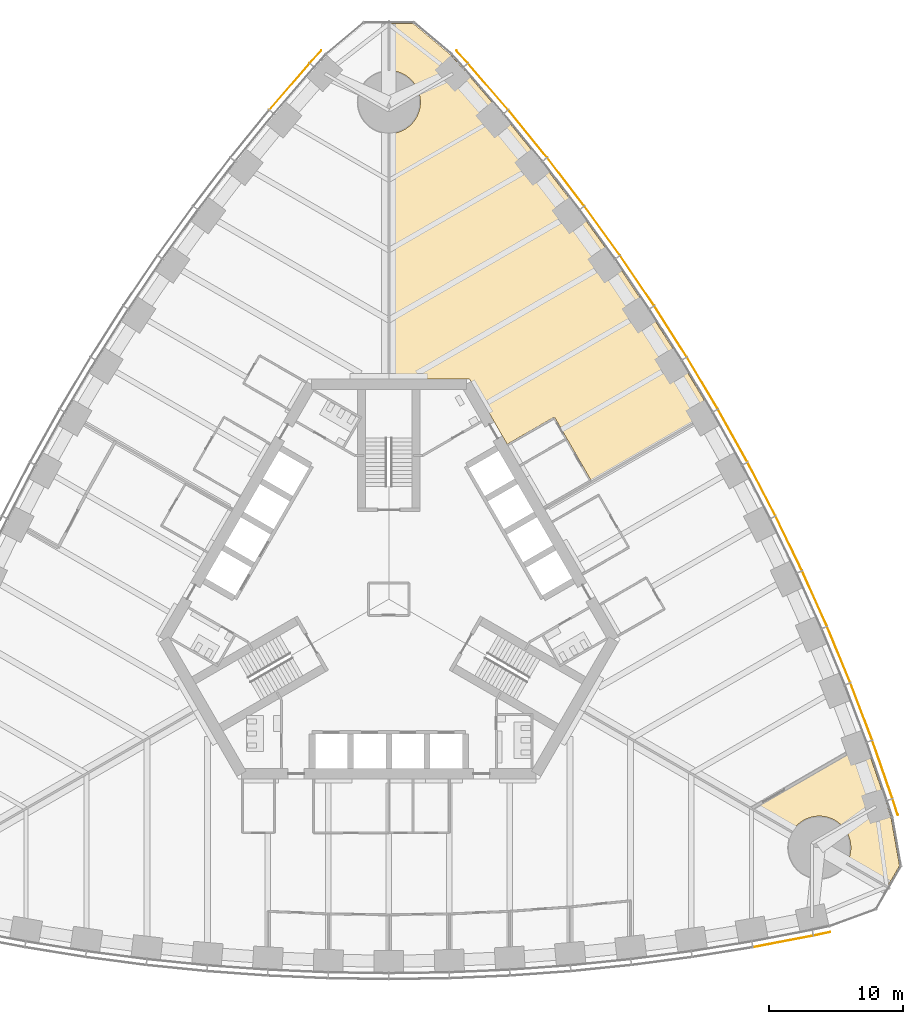
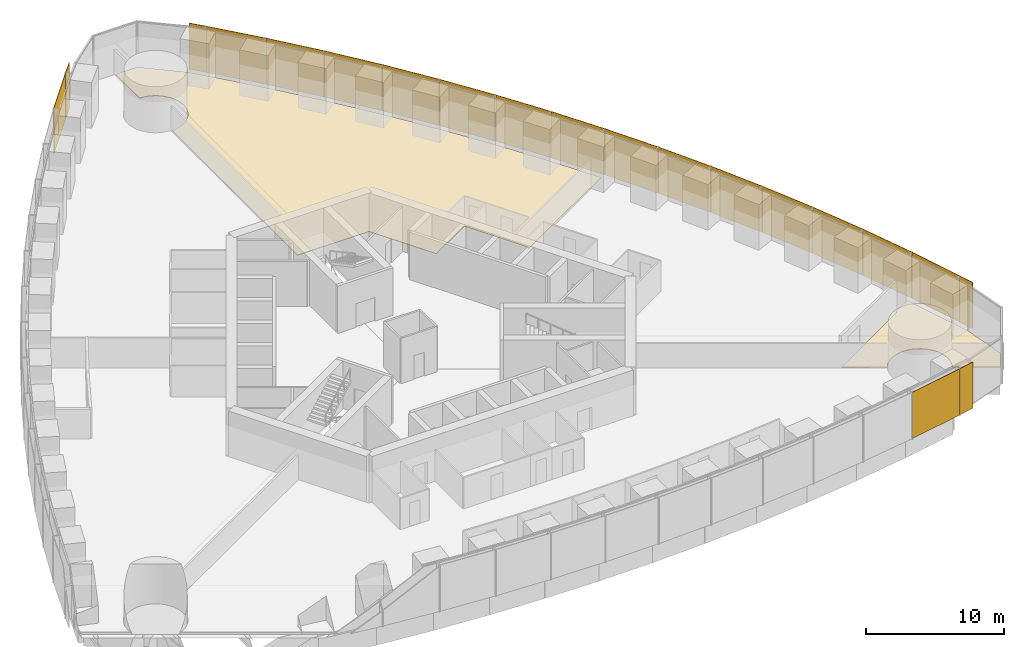
# One storey, part 16 of 18: 20 shading devices, 2 coverings.
"""IFC4 building model written with IfcOpenShell, lengths in metres."""

from ifc_helpers import new_model, si_unit, direction, frame, origin, origin_2d, place, context, subcontext, project, spatial, polyline, rectangle, outline, extrude, material, layer, layer_set, type_object, element, save


model = new_model("IFC4")

# Units and contexts
model_context = context("Model", 3, precision=1e-05, world=origin(), true_north=direction((0.0, 1.0)))
body_context = subcontext(model_context, "Body", "Model", "MODEL_VIEW")
ifc_project = project(units=[si_unit("LENGTHUNIT", "METRE"), si_unit("AREAUNIT", "SQUARE_METRE"), si_unit("VOLUMEUNIT", "CUBIC_METRE"), si_unit("PLANEANGLEUNIT", "RADIAN"), si_unit("MASSUNIT", "GRAM", prefix="KILO")], contexts=[model_context])

# Site, building, storey
site_placement = place(None, origin())
site = spatial("IfcSite", under=ifc_project, at=site_placement, CompositionType="ELEMENT")
building_placement = place(site_placement, origin())
building = spatial("IfcBuilding", under=site, at=building_placement, Name="Trefoil Bronze Tower", CompositionType="ELEMENT")
storey_placement = place(building_placement, frame((0.0, 0.0, 71.10009765625)))
storey = spatial("IfcBuildingStorey", under=building, at=storey_placement, Name="L16", CompositionType="ELEMENT", Elevation=71.10009765625)

# Shading devices
ifc_material_1 = material(Name="Perforated bronze sheet", Category="bronze")
ifc_layer_1 = layer(ifc_material_1, 0.0400390625)
ifc_layer_set_1 = layer_set([ifc_layer_1], Name="Bronze solar screen panel")
shading_device_type = type_object("IfcShadingDeviceType", Name="Bronze solar screen panel", PredefinedType="SHUTTER", material=ifc_layer_set_1)
shading_device_1_placement = place(storey_placement, frame((29.351806640625, -25.478515625, 0.0498046875), z_axis=(0.0, 0.0, 1.0), x_axis=(0.982049823817, 0.188621694249, 0.0)))
element("IfcShadingDevice", 1, at=shading_device_1_placement, inside=storey, type_object=shading_device_type, Name="Solar screen CW-A L16 F1 bay 15", PredefinedType="SHUTTER", context=body_context, shape_type="SweptSolid", body=[
    extrude(rectangle(XDim=4.55224609375, YDim=0.0400390625, at=origin_2d()), origin(), (0.0, 0.0, 1.0), 4.10009765625),
])
for number, where, z_axis, x_axis, name in (
    (2, (32.2431640625, -24.91064453125, 0.0498046875), (0.0, 0.0, 1.0), (0.978302717041, 0.207180582657, 0.0), "Solar screen CW-A L16 F1 bay 16"),
    (3, (37.69482421875, -15.468017578125, 0.0498046875), (0.0, 0.0, 1.0), (-0.309727710769, 0.950825296877, 0.0), "Solar screen CW-A L16 F2 bay 1"),
):
    element("IfcShadingDevice", number, at=place(storey_placement, frame(where, z_axis=z_axis, x_axis=x_axis)), inside=storey, type_object=shading_device_type, Name=name, PredefinedType="SHUTTER", context=body_context, shape_type="SweptSolid", body=[
        extrude(rectangle(XDim=1.260498046875, YDim=0.0400390625, at=origin_2d()), origin(), (0.0, 0.0, 1.0), 4.10009765625),
    ])
shading_device_2_placement = place(storey_placement, frame((36.740966796875, -12.68017578125, 0.0498046875), z_axis=(0.0, 0.0, 1.0), x_axis=(-0.327673732984, 0.944790942332, 0.0)))
element("IfcShadingDevice", 4, at=shading_device_2_placement, inside=storey, type_object=shading_device_type, Name="Solar screen CW-A L16 F2 bay 2", PredefinedType="SHUTTER", context=body_context, shape_type="SweptSolid", body=[
    extrude(rectangle(XDim=4.55224609375, YDim=0.0400390625, at=origin_2d()), origin(), (0.0, 0.0, 1.0), 4.10009765625),
])
shading_device_3_placement = place(storey_placement, frame((35.1748046875, -8.3701171875, 0.0498046875), z_axis=(0.0, 0.0, 1.0), x_axis=(-0.355370585687, 0.934725492767, 0.0)))
element("IfcShadingDevice", 5, at=shading_device_3_placement, inside=storey, type_object=shading_device_type, Name="Solar screen CW-A L16 F2 bay 3", PredefinedType="SHUTTER", context=body_context, shape_type="SweptSolid", body=[
    extrude(rectangle(XDim=4.5283203125, YDim=0.0400390625, at=origin_2d()), origin(), (0.0, 0.0, 1.0), 4.10009765625),
])
shading_device_4_placement = place(storey_placement, frame((33.49072265625, -4.128173828125, 0.0498046875), z_axis=(0.0, 0.0, 1.0), x_axis=(-0.382629580712, 0.923901836758, 0.0)))
element("IfcShadingDevice", 6, at=shading_device_4_placement, inside=storey, type_object=shading_device_type, Name="Solar screen CW-A L16 F2 bay 4", PredefinedType="SHUTTER", context=body_context, shape_type="SweptSolid", body=[
    extrude(rectangle(XDim=4.5087890625, YDim=0.0400390625, at=origin_2d()), origin(), (0.0, 0.0, 1.0), 4.10009765625),
])
shading_device_5_placement = place(storey_placement, frame((31.68994140625, 0.04638671875, 0.0498046875), z_axis=(0.0, 0.0, 1.0), x_axis=(-0.40945635808, 0.912329705111, 0.0)))
element("IfcShadingDevice", 7, at=shading_device_5_placement, inside=storey, type_object=shading_device_type, Name="Solar screen CW-A L16 F2 bay 5", PredefinedType="SHUTTER", context=body_context, shape_type="SweptSolid", body=[
    extrude(rectangle(XDim=4.493408203125, YDim=0.0400390625, at=origin_2d()), origin(), (0.0, 0.0, 1.0), 4.10009765625),
])
shading_device_6_placement = place(storey_placement, frame((29.77392578125, 4.154541015625, 0.0498046875), z_axis=(0.0, 0.0, 1.0), x_axis=(-0.4358553457, 0.900016731858, 0.0)))
element("IfcShadingDevice", 8, at=shading_device_6_placement, inside=storey, type_object=shading_device_type, Name="Solar screen CW-A L16 F2 bay 6", PredefinedType="SHUTTER", context=body_context, shape_type="SweptSolid", body=[
    extrude(rectangle(XDim=4.48193359375, YDim=0.0400390625, at=origin_2d()), origin(), (0.0, 0.0, 1.0), 4.10009765625),
])
shading_device_7_placement = place(storey_placement, frame((27.74365234375, 8.1962890625, 0.0498046875), z_axis=(0.0, 0.0, 1.0), x_axis=(-0.46182981834, 0.886968555752, 0.0)))
element("IfcShadingDevice", 9, at=shading_device_7_placement, inside=storey, type_object=shading_device_type, Name="Solar screen CW-A L16 F2 bay 7", PredefinedType="SHUTTER", context=body_context, shape_type="SweptSolid", body=[
    extrude(rectangle(XDim=4.474365234375, YDim=0.0400390625, at=origin_2d()), origin(), (0.0, 0.0, 1.0), 4.10009765625),
])
for number, where, z_axis, x_axis, name in (
    (10, (25.599365234375, 12.172607421875, 0.0498046875), (0.0, 0.0, 1.0), (-0.487381940453, 0.873188893722, 0.0), "Solar screen CW-A L16 F2 bay 8"),
    (11, (23.341552734375, 16.083251953125, 0.0498046875), (0.0, 0.0, 1.0), (-0.51251279404, 0.858679588639, 0.0), "Solar screen CW-A L16 F2 bay 9"),
):
    element("IfcShadingDevice", number, at=place(storey_placement, frame(where, z_axis=z_axis, x_axis=x_axis)), inside=storey, type_object=shading_device_type, Name=name, PredefinedType="SHUTTER", context=body_context, shape_type="SweptSolid", body=[
        extrude(rectangle(XDim=4.470458984375, YDim=0.0400390625, at=origin_2d()), origin(), (0.0, 0.0, 1.0), 4.10009765625),
    ])
shading_device_8_placement = place(storey_placement, frame((20.97021484375, 19.928466796875, 0.0498046875), z_axis=(0.0, 0.0, 1.0), x_axis=(-0.537222392469, 0.843440632783, 0.0)))
element("IfcShadingDevice", 12, at=shading_device_8_placement, inside=storey, type_object=shading_device_type, Name="Solar screen CW-A L16 F2 bay 10", PredefinedType="SHUTTER", context=body_context, shape_type="SweptSolid", body=[
    extrude(rectangle(XDim=4.474365234375, YDim=0.0400390625, at=origin_2d()), origin(), (0.0, 0.0, 1.0), 4.10009765625),
])
shading_device_9_placement = place(storey_placement, frame((18.48486328125, 23.707763671875, 0.0498046875), z_axis=(0.0, 0.0, 1.0), x_axis=(-0.56150968077, 0.827470167681, 0.0)))
element("IfcShadingDevice", 13, at=shading_device_9_placement, inside=storey, type_object=shading_device_type, Name="Solar screen CW-A L16 F2 bay 11", PredefinedType="SHUTTER", context=body_context, shape_type="SweptSolid", body=[
    extrude(rectangle(XDim=4.48193359375, YDim=0.0400390625, at=origin_2d()), origin(), (0.0, 0.0, 1.0), 4.10009765625),
])
shading_device_10_placement = place(storey_placement, frame((15.88525390625, 27.421142578125, 0.0498046875), z_axis=(0.0, 0.0, 1.0), x_axis=(-0.585372522213, 0.810764460394, 0.0)))
element("IfcShadingDevice", 14, at=shading_device_10_placement, inside=storey, type_object=shading_device_type, Name="Solar screen CW-A L16 F2 bay 12", PredefinedType="SHUTTER", context=body_context, shape_type="SweptSolid", body=[
    extrude(rectangle(XDim=4.493408203125, YDim=0.0400390625, at=origin_2d()), origin(), (0.0, 0.0, 1.0), 4.10009765625),
])
shading_device_11_placement = place(storey_placement, frame((13.170166015625, 31.06787109375, 0.0498046875), z_axis=(0.0, 0.0, 1.0), x_axis=(-0.608807670879, 0.793317855515, 0.0)))
element("IfcShadingDevice", 15, at=shading_device_11_placement, inside=storey, type_object=shading_device_type, Name="Solar screen CW-A L16 F2 bay 13", PredefinedType="SHUTTER", context=body_context, shape_type="SweptSolid", body=[
    extrude(rectangle(XDim=4.5087890625, YDim=0.0400390625, at=origin_2d()), origin(), (0.0, 0.0, 1.0), 4.10009765625),
])
shading_device_12_placement = place(storey_placement, frame((10.338623046875, 34.6474609375, 0.0498046875), z_axis=(0.0, 0.0, 1.0), x_axis=(-0.631810729457, 0.775122701346, 0.0)))
element("IfcShadingDevice", 16, at=shading_device_12_placement, inside=storey, type_object=shading_device_type, Name="Solar screen CW-A L16 F2 bay 14", PredefinedType="SHUTTER", context=body_context, shape_type="SweptSolid", body=[
    extrude(rectangle(XDim=4.5283203125, YDim=0.0400390625, at=origin_2d()), origin(), (0.0, 0.0, 1.0), 4.10009765625),
])
shading_device_13_placement = place(storey_placement, frame((7.38916015625, 38.15869140625, 0.0498046875), z_axis=(0.0, 0.0, 1.0), x_axis=(-0.654376090833, 0.756169248083, 0.0)))
element("IfcShadingDevice", 17, at=shading_device_13_placement, inside=storey, type_object=shading_device_type, Name="Solar screen CW-A L16 F2 bay 15", PredefinedType="SHUTTER", context=body_context, shape_type="SweptSolid", body=[
    extrude(rectangle(XDim=4.55224609375, YDim=0.0400390625, at=origin_2d()), origin(), (0.0, 0.0, 1.0), 4.10009765625),
])
for number, where, z_axis, x_axis, name in (
    (18, (5.45166015625, 40.378662109375, 0.0498046875), (0.0, 0.0, 1.0), (-0.668575006272, 0.743644714221, 0.0), "Solar screen CW-A L16 F2 bay 16"),
    (19, (-5.45166015625, 40.378662109375, 0.0498046875), (0.0, 0.0, 1.0), (-0.668575006272, -0.743644714221, 0.0), "Solar screen CW-A L16 F3 bay 1"),
):
    element("IfcShadingDevice", number, at=place(storey_placement, frame(where, z_axis=z_axis, x_axis=x_axis)), inside=storey, type_object=shading_device_type, Name=name, PredefinedType="SHUTTER", context=body_context, shape_type="SweptSolid", body=[
        extrude(rectangle(XDim=1.260498046875, YDim=0.0400390625, at=origin_2d()), origin(), (0.0, 0.0, 1.0), 4.10009765625),
    ])
shading_device_14_placement = place(storey_placement, frame((-7.38916015625, 38.15869140625, 0.0498046875), z_axis=(0.0, 0.0, 1.0), x_axis=(-0.654376090833, -0.756169248083, 0.0)))
element("IfcShadingDevice", 20, at=shading_device_14_placement, inside=storey, type_object=shading_device_type, Name="Solar screen CW-A L16 F3 bay 2", PredefinedType="SHUTTER", context=body_context, shape_type="SweptSolid", body=[
    extrude(rectangle(XDim=4.55224609375, YDim=0.0400390625, at=origin_2d()), origin(), (0.0, 0.0, 1.0), 4.10009765625),
])

# Coverings
ifc_material_2 = material(Name="Raised access floor panels", Category="steel")
ifc_layer_2 = layer(ifc_material_2, 0.050048828125)
ifc_layer_set_2 = layer_set([ifc_layer_2], Name="Raised access floor 150")
covering_type = type_object("IfcCoveringType", Name="Raised access floor 150", PredefinedType="FLOORING", material=ifc_layer_set_2)
covering_1_placement = place(storey_placement, frame((0.0, 0.0, 0.099853515625)))
element("IfcCovering", 21, at=covering_1_placement, inside=storey, type_object=covering_type, Name="Raised floor L16 Boardroom F2", PredefinedType="FLOORING", context=body_context, shape_type="SweptSolid", body=[
    extrude(outline(polyline([(30.0146484375, -17.31396484375), (27.11181640625, -15.639404296875), (34.0966796875, -11.606689453125), (34.046630859375, -11.52001953125), (35.47998046875, -10.6923828125), (36.9814453125, -15.021728515625), (37.381103515625, -16.248779296875), (38.0146484375, -19.841552734375), (37.110595703125, -21.4072265625), (34.084716796875, -19.661865234375), (34.115478515625, -19.60791015625), (34.167236328125, -19.5048828125), (34.214111328125, -19.3994140625), (34.255615234375, -19.291748046875), (34.291748046875, -19.18212890625), (34.322509765625, -19.071044921875), (34.347900390625, -18.95849609375), (34.367431640625, -18.8447265625), (34.381591796875, -18.730224609375), (34.39013671875, -18.615234375), (34.392822265625, -18.5), (34.39013671875, -18.384765625), (34.381591796875, -18.269775390625), (34.367431640625, -18.1552734375), (34.347900390625, -18.04150390625), (34.322509765625, -17.928955078125), (34.291748046875, -17.81787109375), (34.255615234375, -17.708251953125), (34.214111328125, -17.6005859375), (34.167236328125, -17.4951171875), (34.115478515625, -17.39208984375), (34.05859375, -17.2919921875), (33.996826171875, -17.1943359375), (33.930419921875, -17.10009765625), (33.859619140625, -17.00927734375), (33.7841796875, -16.921875), (33.70458984375, -16.83837890625), (33.62109375, -16.7587890625), (33.53369140625, -16.683349609375), (33.44287109375, -16.612548828125), (33.348388671875, -16.5458984375), (33.251220703125, -16.484375), (33.150634765625, -16.427490234375), (33.047607421875, -16.37548828125), (32.942138671875, -16.328857421875), (32.834716796875, -16.287353515625), (32.72509765625, -16.251220703125), (32.614013671875, -16.220458984375), (32.50146484375, -16.1953125), (32.3876953125, -16.17529296875), (32.273193359375, -16.161376953125), (32.158203125, -16.15283203125), (32.04296875, -16.14990234375), (31.927490234375, -16.15283203125), (31.8125, -16.161376953125), (31.697998046875, -16.17529296875), (31.58447265625, -16.1953125), (31.471923828125, -16.220458984375), (31.36083984375, -16.251220703125), (31.251220703125, -16.287353515625), (31.1435546875, -16.328857421875), (31.0380859375, -16.37548828125), (30.935302734375, -16.427490234375), (30.834716796875, -16.484375), (30.7373046875, -16.5458984375), (30.64306640625, -16.612548828125), (30.552001953125, -16.683349609375), (30.46484375, -16.7587890625), (30.381103515625, -16.83837890625), (30.3017578125, -16.921875), (30.226318359375, -17.00927734375), (30.155517578125, -17.10009765625), (30.089111328125, -17.1943359375), (30.02734375, -17.2919921875), (30.0146484375, -17.31396484375)])), origin(), (0.0, 0.0, 1.0), 0.050048828125),
])
covering_2_placement = place(storey_placement, frame((0.0, 0.0, 0.099853515625)))
element("IfcCovering", 22, at=covering_2_placement, inside=storey, type_object=covering_type, Name="Raised floor L16 Open-plan office F2", PredefinedType="FLOORING", context=body_context, shape_type="SweptSolid", body=[
    extrude(outline(polyline([(19.3046875, 21.537841796875), (21.724609375, 17.73876953125), (24.030517578125, 13.875244140625), (22.618896484375, 13.060302734375), (22.58203125, 13.124267578125), (15.03125, 8.764892578125), (15.00634765625, 8.808349609375), (15.058349609375, 8.83837890625), (12.3583984375, 13.514892578125), (12.306396484375, 13.48486328125), (12.2763671875, 13.536865234375), (8.812255859375, 11.536865234375), (6.00439453125, 16.39990234375), (0.006103515625, 16.39990234375), (0.012939453125, 34.650390625), (0.115234375, 34.65283203125), (0.230224609375, 34.661376953125), (0.3447265625, 34.67529296875), (0.45849609375, 34.6953125), (0.571044921875, 34.720458984375), (0.68212890625, 34.751220703125), (0.791748046875, 34.787353515625), (0.8994140625, 34.828857421875), (1.0048828125, 34.87548828125), (1.10791015625, 34.927490234375), (1.2080078125, 34.984375), (1.3056640625, 35.0458984375), (1.39990234375, 35.112548828125), (1.49072265625, 35.183349609375), (1.578125, 35.2587890625), (1.66162109375, 35.33837890625), (1.7412109375, 35.421875), (1.816650390625, 35.50927734375), (1.887451171875, 35.60009765625), (1.9541015625, 35.6943359375), (2.015625, 35.7919921875), (2.072509765625, 35.89208984375), (2.12451171875, 35.9951171875), (2.171142578125, 36.1005859375), (2.212646484375, 36.208251953125), (2.248779296875, 36.31787109375), (2.279541015625, 36.428955078125), (2.3046875, 36.54150390625), (2.32470703125, 36.6552734375), (2.338623046875, 36.769775390625), (2.34716796875, 36.884765625), (2.35009765625, 37.0), (2.34716796875, 37.115234375), (2.338623046875, 37.230224609375), (2.32470703125, 37.3447265625), (2.3046875, 37.45849609375), (2.279541015625, 37.571044921875), (2.248779296875, 37.68212890625), (2.212646484375, 37.791748046875), (2.171142578125, 37.8994140625), (2.12451171875, 38.0048828125), (2.072509765625, 38.10791015625), (2.015625, 38.2080078125), (1.9541015625, 38.3056640625), (1.887451171875, 38.39990234375), (1.816650390625, 38.49072265625), (1.7412109375, 38.578125), (1.66162109375, 38.66162109375), (1.578125, 38.7412109375), (1.49072265625, 38.816650390625), (1.39990234375, 38.887451171875), (1.3056640625, 38.9541015625), (1.2080078125, 39.015625), (1.10791015625, 39.072509765625), (1.0048828125, 39.12451171875), (0.8994140625, 39.171142578125), (0.791748046875, 39.212646484375), (0.68212890625, 39.248779296875), (0.571044921875, 39.279541015625), (0.45849609375, 39.3046875), (0.3447265625, 39.32470703125), (0.230224609375, 39.338623046875), (0.115234375, 39.34716796875), (0.014892578125, 39.349609375), (0.01611328125, 42.84228515625), (1.82421875, 42.84228515625), (4.618896484375, 40.497314453125), (5.4814453125, 39.537841796875), (8.47998046875, 36.072998046875), (11.360107421875, 32.53955078125), (14.123291015625, 28.938720703125), (16.771240234375, 25.271484375), (19.3046875, 21.537841796875)])), origin(), (0.0, 0.0, 1.0), 0.050048828125),
])

save(model, "model.ifc")
